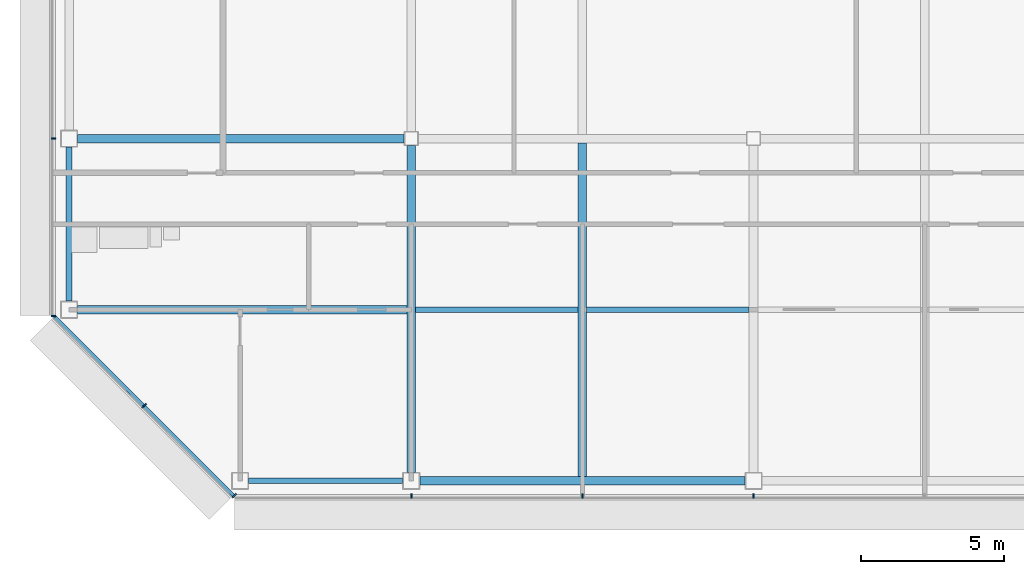
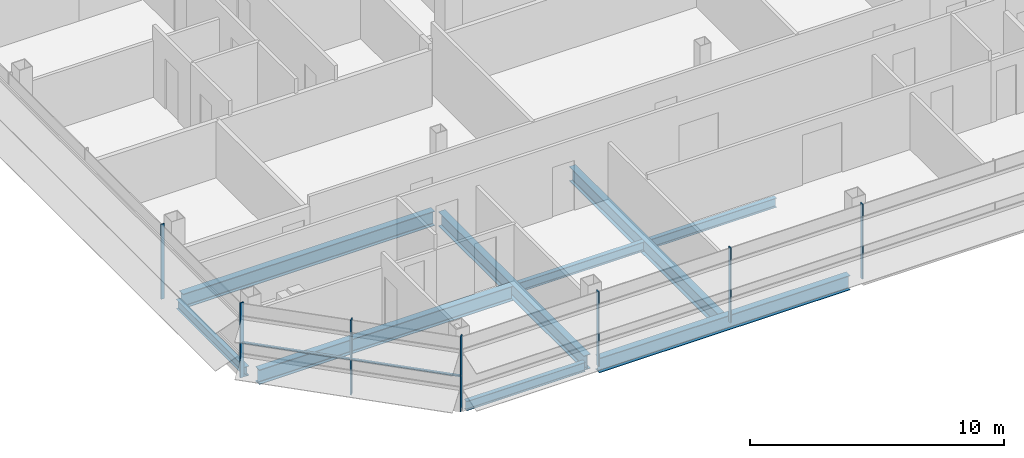
# One storey, part 3 of 28: 9 beams, 8 members, 3 elements without a shape of their own.
"""IFC4 building model written with IfcOpenShell, lengths in metres."""

from ifc_helpers import new_model, si_unit, direction, frame, origin, origin_2d, place, context, subcontext, project, spatial, rectangle, i_section, extrude, material, material_profile, profile_set, type_object, element, aggregate, save


model = new_model("IFC4")

# Units and contexts
model_context = context("Model", 3, precision=1e-05, world=origin(), true_north=direction((0.0, 1.0)))
body_context = subcontext(model_context, "Body", "Model", "MODEL_VIEW")
ifc_project = project(units=[si_unit("LENGTHUNIT", "METRE"), si_unit("AREAUNIT", "SQUARE_METRE"), si_unit("VOLUMEUNIT", "CUBIC_METRE"), si_unit("PLANEANGLEUNIT", "RADIAN"), si_unit("MASSUNIT", "GRAM", prefix="KILO")], contexts=[model_context])

# Site, building, storey
site_placement = place(None, origin())
site = spatial("IfcSite", under=ifc_project, at=site_placement, CompositionType="ELEMENT")
building_placement = place(site_placement, origin())
building = spatial("IfcBuilding", under=site, at=building_placement, Name="Sorahane Residences", CompositionType="ELEMENT")
storey_placement = place(building_placement, frame((0.0, 0.0, 266.60009765625)))
storey = spatial("IfcBuildingStorey", under=building, at=storey_placement, Name="L63", CompositionType="ELEMENT", Elevation=266.60009765625)

# Curtain wall, members
ifc_material_1 = material(Name="Dark low-e glass and black anodised aluminium", Category="aluminium")
curtain_wall_type_1 = type_object("IfcCurtainWallType", Name="Curtain wall CW-1 Typical unitised wall", PredefinedType="NOTDEFINED", material=ifc_material_1)
curtain_wall_1_placement = place(storey_placement, origin())
curtain_wall_1 = element("IfcCurtainWall", 1, at=curtain_wall_1_placement, inside=storey, type_object=curtain_wall_type_1, Name="CW-1 curtain wall L63 S1", PredefinedType="NOTDEFINED")
ifc_material_2 = material(Name="Black anodised aluminium", Category="aluminium")
ifc_material_profile_1 = material_profile(ifc_material_2, rectangle(XDim=0.159912109375, YDim=0.050048828125, at=origin_2d()), Name="Curtain wall mullion CW-1 black anodised aluminium 50x160")
ifc_profile_set_1 = profile_set([ifc_material_profile_1], Name="Black anodised aluminium")
member_type_1 = type_object("IfcMemberType", Name="Curtain wall mullion CW-1 black anodised aluminium 50x160", PredefinedType="MULLION", material=ifc_profile_set_1)
member_1_placement = place(storey_placement, frame((0.0, -0.5400390625, -0.18017578125), z_axis=(0.0, 0.0, 1.0), x_axis=(0.0, -1.0, 0.0)))
member_1 = element("IfcMember", 2, at=member_1_placement, type_object=member_type_1, Name="CW-1 mullion L63 S1.2", PredefinedType="MULLION", context=body_context, shape_type="SweptSolid", body=[
    extrude(rectangle(XDim=0.159912109375, YDim=0.050048828125, at=origin_2d()), origin(), (0.0, 0.0, 1.0), 3.60009765625),
])
member_2_placement = place(storey_placement, frame((6.0, -0.5400390625, -0.18017578125), z_axis=(0.0, 0.0, 1.0), x_axis=(0.0, -1.0, 0.0)))
member_2 = element("IfcMember", 3, at=member_2_placement, type_object=member_type_1, Name="CW-1 mullion L63 S1.3", PredefinedType="MULLION", context=body_context, shape_type="SweptSolid", body=[
    extrude(rectangle(XDim=0.159912109375, YDim=0.050048828125, at=origin_2d()), origin(), (0.0, 0.0, 1.0), 3.60009765625),
])
member_3_placement = place(storey_placement, frame((12.0, -0.5400390625, -0.18017578125), z_axis=(0.0, 0.0, 1.0), x_axis=(0.0, -1.0, 0.0)))
member_3 = element("IfcMember", 4, at=member_3_placement, type_object=member_type_1, Name="CW-1 mullion L63 S1.4", PredefinedType="MULLION", context=body_context, shape_type="SweptSolid", body=[
    extrude(rectangle(XDim=0.159912109375, YDim=0.050048828125, at=origin_2d()), origin(), (0.0, 0.0, 1.0), 3.60009765625),
])
aggregate(curtain_wall_1, [member_1, member_2, member_3])

curtain_wall_2_placement = place(storey_placement, origin())
curtain_wall_2 = element("IfcCurtainWall", 5, at=curtain_wall_2_placement, inside=storey, type_object=curtain_wall_type_1, Name="CW-1 curtain wall L63 W1", PredefinedType="NOTDEFINED")
member_4_placement = place(storey_placement, frame((-12.5400390625, 12.0, -0.18017578125), z_axis=(0.0, 0.0, 1.0), x_axis=(-1.0, 0.0, 0.0)))
member_4 = element("IfcMember", 6, at=member_4_placement, type_object=member_type_1, Name="CW-1 mullion L63 W1.6", PredefinedType="MULLION", context=body_context, shape_type="SweptSolid", body=[
    extrude(rectangle(XDim=0.159912109375, YDim=0.050048828125, at=origin_2d()), origin(), (0.0, 0.0, 1.0), 3.60009765625),
])
member_5_placement = place(storey_placement, frame((-12.5400390625, 5.7763671875, -0.18017578125), z_axis=(0.0, 0.0, 1.0), x_axis=(-1.0, 0.0, 0.0)))
member_5 = element("IfcMember", 7, at=member_5_placement, type_object=member_type_1, Name="CW-1 mullion L63 W1.7", PredefinedType="MULLION", context=body_context, shape_type="SweptSolid", body=[
    extrude(rectangle(XDim=0.159912109375, YDim=0.050048828125, at=origin_2d()), origin(), (0.0, 0.0, 1.0), 3.60009765625),
])
aggregate(curtain_wall_2, [member_4, member_5])

ifc_material_3 = material(Name="Dark low-e glass and black anodised aluminium", Category="aluminium")
curtain_wall_type_2 = type_object("IfcCurtainWallType", Name="Curtain wall CW-2 Chamfer unitised wall", PredefinedType="NOTDEFINED", material=ifc_material_3)
curtain_wall_3_placement = place(storey_placement, origin())
curtain_wall_3 = element("IfcCurtainWall", 8, at=curtain_wall_3_placement, inside=storey, type_object=curtain_wall_type_2, Name="CW-2 curtain wall L63 SW1", PredefinedType="NOTDEFINED")
ifc_material_4 = material(Name="Black anodised aluminium", Category="aluminium")
ifc_material_profile_2 = material_profile(ifc_material_4, rectangle(XDim=0.199951171875, YDim=0.050048828125, at=origin_2d()), Name="Curtain wall mullion CW-2 black anodised aluminium 50x200")
ifc_profile_set_2 = profile_set([ifc_material_profile_2], Name="Black anodised aluminium")
member_type_2 = type_object("IfcMemberType", Name="Curtain wall mullion CW-2 black anodised aluminium 50x200", PredefinedType="MULLION", material=ifc_profile_set_2)
member_6_placement = place(storey_placement, frame((-9.36767578125, 2.63232421875, -0.18017578125), z_axis=(0.0, 0.0, 1.0), x_axis=(-0.707106781187, -0.707106781187, 0.0)))
member_6 = element("IfcMember", 9, at=member_6_placement, type_object=member_type_2, Name="CW-2 mullion L63 SW1.2", PredefinedType="MULLION", context=body_context, shape_type="SweptSolid", body=[
    extrude(rectangle(XDim=0.199951171875, YDim=0.050048828125, at=origin_2d()), origin(), (0.0, 0.0, 1.0), 3.60009765625),
])
member_7_placement = place(storey_placement, frame((-6.209716796875, -0.525634765625, -0.18017578125), z_axis=(0.0, 0.0, 1.0), x_axis=(-0.707106781187, -0.707106781187, 0.0)))
member_7 = element("IfcMember", 10, at=member_7_placement, type_object=member_type_2, Name="CW-2 mullion L63 SW1.3", PredefinedType="MULLION", context=body_context, shape_type="SweptSolid", body=[
    extrude(rectangle(XDim=0.199951171875, YDim=0.050048828125, at=origin_2d()), origin(), (0.0, 0.0, 1.0), 3.60009765625),
])
ifc_material_5 = material(Name="Black anodised aluminium", Category="aluminium")
ifc_material_profile_3 = material_profile(ifc_material_5, rectangle(XDim=0.10009765625, YDim=0.06005859375, at=origin_2d()), Name="Curtain wall transom CW-2 black anodised aluminium 60x100")
ifc_profile_set_3 = profile_set([ifc_material_profile_3], Name="Black anodised aluminium")
member_type_3 = type_object("IfcMemberType", Name="Curtain wall transom CW-2 black anodised aluminium 60x100", PredefinedType="USERDEFINED", material=ifc_profile_set_3)
member_8_placement = place(storey_placement, frame((-12.51513671875, 5.765625, 1.5), z_axis=(0.707106781187, -0.707106781187, 0.0), x_axis=(0.707106781187, 0.707106781187, 0.0)))
member_8 = element("IfcMember", 11, at=member_8_placement, type_object=member_type_3, Name="CW-2 transom L63 SW1", ObjectType="TRANSOM", PredefinedType="USERDEFINED", context=body_context, shape_type="SweptSolid", body=[
    extrude(rectangle(XDim=0.10009765625, YDim=0.06005859375, at=origin_2d()), origin(), (0.0, 0.0, 1.0), 8.88232421875),
])
aggregate(curtain_wall_3, [member_6, member_7, member_8])

# Beams
ifc_material_6 = material(Name="Steel Q355B", Category="steel")
ifc_material_profile_4 = material_profile(ifc_material_6, i_section(OverallWidth=0.199951171875, OverallDepth=0.449951171875, WebThickness=0.009033203125, FlangeThickness=0.013916015625, FilletRadius=0.02001953125, at=origin_2d()), Name="HN 450x200x9x14")
ifc_profile_set_4 = profile_set([ifc_material_profile_4], Name="Steel Q355B")
beam_type_1 = type_object("IfcBeamType", Name="Steel floor beam HN 450x200x9x14 Q355B", PredefinedType="BEAM", material=ifc_profile_set_4)
for number, where, z_axis, x_axis, name in (
    (12, (-5.699951171875, 0.0, -0.405029296875), (1.0, 0.0, 0.0), (0.0, 1.0, 0.0), "Beam L63 000"),
    (13, (-12.0, 6.300048828125, -0.405029296875), (0.0, 1.0, 0.0), (-1.0, 0.0, 0.0), "Beam L63 020"),
):
    element("IfcBeam", number, at=place(storey_placement, frame(where, z_axis=z_axis, x_axis=x_axis)), inside=storey, type_object=beam_type_1, Name=name, PredefinedType="BEAM", context=body_context, shape_type="SweptSolid", body=[
        extrude(i_section(OverallWidth=0.199951171875, OverallDepth=0.449951171875, WebThickness=0.009033203125, FlangeThickness=0.013916015625, FilletRadius=0.02001953125, at=origin_2d()), origin(), (0.0, 0.0, 1.0), 5.39990234375),
    ])
for number, where, z_axis, x_axis, name in (
    (14, (0.14990234375, 6.0, -0.405029296875), (1.0, 0.0, 0.0), (0.0, 1.0, 0.0), "Beam L63 069"),
    (15, (6.14990234375, 6.0, -0.405029296875), (1.0, 0.0, 0.0), (0.0, 1.0, 0.0), "Beam L63 070"),
):
    element("IfcBeam", number, at=place(storey_placement, frame(where, z_axis=z_axis, x_axis=x_axis)), inside=storey, type_object=beam_type_1, Name=name, PredefinedType="BEAM", context=body_context, shape_type="SweptSolid", body=[
        extrude(i_section(OverallWidth=0.199951171875, OverallDepth=0.449951171875, WebThickness=0.009033203125, FlangeThickness=0.013916015625, FilletRadius=0.02001953125, at=origin_2d()), origin(), (0.0, 0.0, 1.0), 5.7001953125),
    ])
ifc_material_7 = material(Name="Steel Q355B", Category="steel")
ifc_material_profile_5 = material_profile(ifc_material_7, i_section(OverallWidth=0.300048828125, OverallDepth=0.699951171875, WebThickness=0.012939453125, FlangeThickness=0.02392578125, FilletRadius=0.028076171875, at=origin_2d()), Name="HN 700x300x13x24")
ifc_profile_set_5 = profile_set([ifc_material_profile_5], Name="Steel Q355B")
beam_type_2 = type_object("IfcBeamType", Name="Steel floor beam HN 700x300x13x24 Q355B", PredefinedType="BEAM", material=ifc_profile_set_5)
beam_1_placement = place(storey_placement, frame((0.300048828125, 0.0, -0.530029296875), z_axis=(1.0, 0.0, 0.0), x_axis=(0.0, 1.0, 0.0)))
element("IfcBeam", 16, at=beam_1_placement, inside=storey, type_object=beam_type_2, Name="Beam L63 001", PredefinedType="BEAM", context=body_context, shape_type="SweptSolid", body=[
    extrude(i_section(OverallWidth=0.300048828125, OverallDepth=0.699951171875, WebThickness=0.012939453125, FlangeThickness=0.02392578125, FilletRadius=0.028076171875, at=origin_2d()), origin(), (0.0, 0.0, 1.0), 11.39990234375),
])
for number, where, z_axis, x_axis, name in (
    (17, (-11.699951171875, 12.0, -0.530029296875), (1.0, 0.0, 0.0), (0.0, 1.0, 0.0), "Beam L63 005"),
    (18, (0.0, 0.300048828125, -0.530029296875), (0.0, 1.0, 0.0), (-1.0, 0.0, 0.0), "Beam L63 024"),
):
    element("IfcBeam", number, at=place(storey_placement, frame(where, z_axis=z_axis, x_axis=x_axis)), inside=storey, type_object=beam_type_2, Name=name, PredefinedType="BEAM", context=body_context, shape_type="SweptSolid", body=[
        extrude(i_section(OverallWidth=0.300048828125, OverallDepth=0.699951171875, WebThickness=0.012939453125, FlangeThickness=0.02392578125, FilletRadius=0.028076171875, at=origin_2d()), origin(), (0.0, 0.0, 1.0), 11.449951171875),
    ])
beam_2_placement = place(storey_placement, frame((6.0, 0.14990234375, -0.530029296875), z_axis=(0.0, 1.0, 0.0), x_axis=(-1.0, 0.0, 0.0)))
element("IfcBeam", 19, at=beam_2_placement, inside=storey, type_object=beam_type_2, Name="Beam L63 028", PredefinedType="BEAM", context=body_context, shape_type="SweptSolid", body=[
    extrude(i_section(OverallWidth=0.300048828125, OverallDepth=0.699951171875, WebThickness=0.012939453125, FlangeThickness=0.02392578125, FilletRadius=0.028076171875, at=origin_2d()), origin(), (0.0, 0.0, 1.0), 11.7001953125),
])
beam_3_placement = place(storey_placement, frame((-11.699951171875, 6.0, -0.530029296875), z_axis=(1.0, 0.0, 0.0), x_axis=(0.0, 1.0, 0.0)))
element("IfcBeam", 20, at=beam_3_placement, inside=storey, type_object=beam_type_2, Name="Beam L63 068", PredefinedType="BEAM", context=body_context, shape_type="SweptSolid", body=[
    extrude(i_section(OverallWidth=0.300048828125, OverallDepth=0.699951171875, WebThickness=0.012939453125, FlangeThickness=0.02392578125, FilletRadius=0.028076171875, at=origin_2d()), origin(), (0.0, 0.0, 1.0), 11.550048828125),
])

save(model, "model.ifc")
